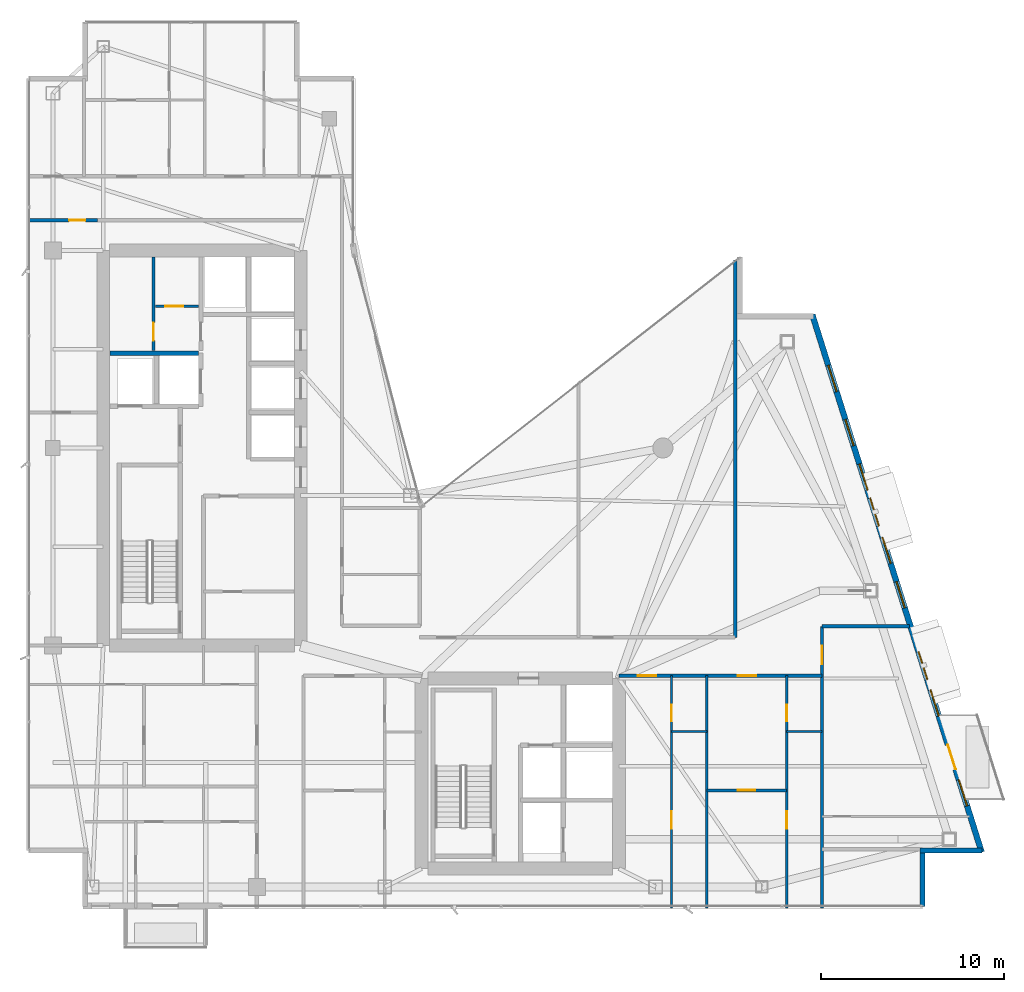
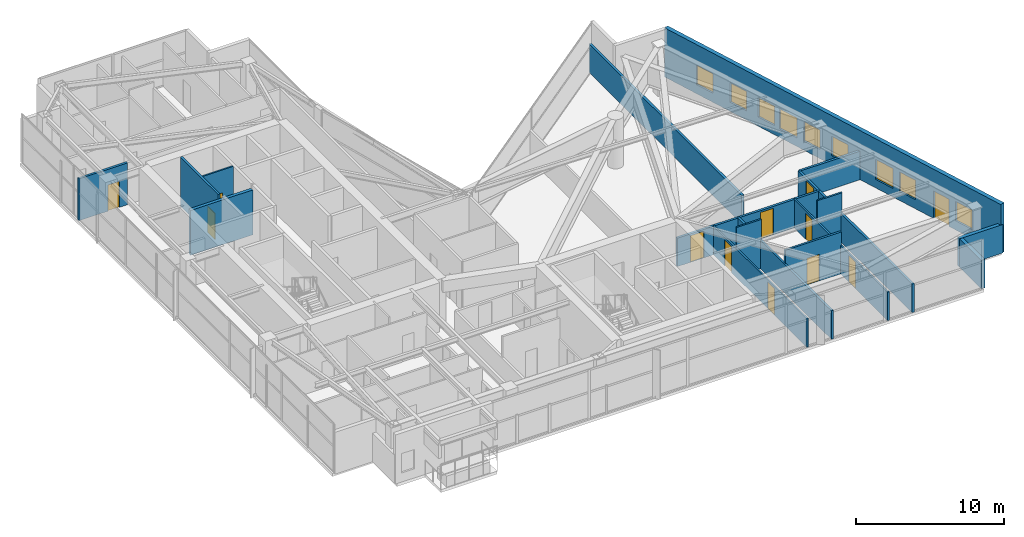
# One storey, part 25 of 29: 17 walls, 12 doors, 9 windows, 21 openings.
"""IFC4 building model written with IfcOpenShell, lengths in metres."""

from ifc_helpers import new_model, si_unit, direction, frame, frame_2d, origin, place, context, subcontext, project, spatial, rectangle, extrude, material, layer, layer_set, type_object, element, fill, save


model = new_model("IFC4")

# Units and contexts
model_context = context("Model", 3, precision=1e-05, world=origin(), true_north=direction((0.0, 1.0)))
body_context = subcontext(model_context, "Body", "Model", "MODEL_VIEW")
ifc_project = project(units=[si_unit("LENGTHUNIT", "METRE"), si_unit("AREAUNIT", "SQUARE_METRE"), si_unit("VOLUMEUNIT", "CUBIC_METRE"), si_unit("PLANEANGLEUNIT", "RADIAN"), si_unit("MASSUNIT", "GRAM", prefix="KILO")], contexts=[model_context])

# Site, building, storey
site_placement = place(None, origin())
site = spatial("IfcSite", under=ifc_project, at=site_placement, CompositionType="ELEMENT")
building_placement = place(site_placement, origin())
building = spatial("IfcBuilding", under=site, at=building_placement, Name="Calvorn Quay Hotel", CompositionType="ELEMENT")
storey_placement = place(building_placement, frame((0.0, 0.0, 214.800048828125)))
storey = spatial("IfcBuildingStorey", under=building, at=storey_placement, Name="L53", CompositionType="ELEMENT", Elevation=214.800048828125)

# Wall, opening, door
ifc_material_1 = material(Name="Acoustic Fireboard Steel-Stud Partition", Category="steel")
ifc_layer_1 = layer(ifc_material_1, 0.179931640625)
ifc_layer_set_1 = layer_set([ifc_layer_1], Name="WL-CORR-FIRE-180")
wall_type_1 = type_object("IfcWallType", Name="WL-CORR-FIRE-180", PredefinedType="PARTITIONING", material=ifc_layer_set_1)
wall_1_placement = place(storey_placement, frame((0.080078125, 40.050048828125, 0.0), z_axis=(0.0, 0.0, 1.0), x_axis=(1.0, 0.0, 0.0)))
wall_1 = element("IfcWall", 1, at=wall_1_placement, inside=storey, type_object=wall_type_1, Name="Partition Wall L53-WL-WBAY-N-DOOR", PredefinedType="PARTITIONING", context=body_context, shape_type="SweptSolid", body=[
    extrude(rectangle(XDim=3.7998046875, YDim=0.179931640625, at=frame_2d((1.89990234375, 0.0))), origin(), (0.0, 0.0, 1.0), 3.449951171875),
])
opening_1_placement = place(wall_1_placement, frame((2.25, 0.0, 0.0)))
opening_1 = element("IfcOpeningElement", 2, at=opening_1_placement, cuts=wall_1, Name="Opening D-L53-WBN", PredefinedType="OPENING", context=body_context, shape_type="SweptSolid", body=[
    extrude(rectangle(XDim=0.89990234375, YDim=2.14990234375, at=frame_2d((0.449951171875, 1.074951171875))), frame((0.0, 0.099853515625, 0.0), z_axis=(0.0, -1.0, 0.0), x_axis=(1.0, 0.0, 0.0)), (0.0, 0.0, 1.0), 0.199951171875),
])
ifc_material_2 = material(Name="Moisture-Sealed Timber En-Suite Door", Category="wood")
door_type_1 = type_object("IfcDoorType", Name="DR-ENSUITE-900", OperationType="NOTDEFINED", PredefinedType="DOOR", material=ifc_material_2)
door_1_placement = place(opening_1_placement, origin())
door_1 = element("IfcDoor", 3, at=door_1_placement, inside=storey, type_object=door_type_1, Name="West North Bay Door (L53)", OperationType="SINGLE_SWING_LEFT", OverallHeight=2.14990234375, OverallWidth=0.89990234375, PredefinedType="DOOR", context=body_context, shape_type="SweptSolid", body=[
    extrude(rectangle(XDim=0.89990234375, YDim=2.14990234375, at=frame_2d((0.449951171875, 1.074951171875))), frame((0.0, 0.02490234375, 0.0), z_axis=(0.0, -1.0, 0.0), x_axis=(1.0, 0.0, 0.0)), (0.0, 0.0, 1.0), 0.050048828125),
])
fill(opening_1, door_1)

# Wall, openings, doors
wall_2_placement = place(storey_placement, frame((32.39990234375, 15.14990234375, 0.0), z_axis=(0.0, 0.0, 1.0), x_axis=(1.0, 0.0, 0.0)))
wall_2 = element("IfcWall", 4, at=wall_2_placement, inside=storey, type_object=wall_type_1, Name="Partition Wall L53-WL-CORR-SE-S", PredefinedType="PARTITIONING", context=body_context, shape_type="SweptSolid", body=[
    extrude(rectangle(XDim=11.10009765625, YDim=0.179931640625, at=frame_2d((5.550048828125, 0.0))), origin(), (0.0, 0.0, 1.0), 2.349853515625),
])
opening_2_placement = place(wall_2_placement, frame((1.030029296875, 0.0, 0.0)))
opening_2 = element("IfcOpeningElement", 5, at=opening_2_placement, cuts=wall_2, Name="Opening D-L53-U06", PredefinedType="OPENING", context=body_context, shape_type="SweptSolid", body=[
    extrude(rectangle(XDim=1.02001953125, YDim=2.199951171875, at=frame_2d((0.510009765625, 1.10009765625))), frame((0.0, 0.099853515625, 0.0), z_axis=(0.0, -1.0, 0.0), x_axis=(1.0, 0.0, 0.0)), (0.0, 0.0, 1.0), 0.199951171875),
])
opening_3_placement = place(wall_2_placement, frame((6.47998046875, 0.0, 0.0)))
opening_3 = element("IfcOpeningElement", 6, at=opening_3_placement, cuts=wall_2, Name="Opening D-L53-U07", PredefinedType="OPENING", context=body_context, shape_type="SweptSolid", body=[
    extrude(rectangle(XDim=1.02001953125, YDim=2.199951171875, at=frame_2d((0.510009765625, 1.10009765625))), frame((0.0, 0.099853515625, 0.0), z_axis=(0.0, -1.0, 0.0), x_axis=(1.0, 0.0, 0.0)), (0.0, 0.0, 1.0), 0.199951171875),
])
ifc_material_3 = material(Name="Solid-Core Walnut Veneer Hotel Fire Door")
door_type_2 = type_object("IfcDoorType", Name="DR-GUEST-ENTRY-1020", OperationType="NOTDEFINED", PredefinedType="DOOR", material=ifc_material_3)
door_2_placement = place(opening_2_placement, origin())
door_2 = element("IfcDoor", 7, at=door_2_placement, inside=storey, type_object=door_type_2, Name="South-East Unit Door U06 (L53)", OperationType="SINGLE_SWING_LEFT", OverallHeight=2.199951171875, OverallWidth=1.02001953125, PredefinedType="DOOR", context=body_context, shape_type="SweptSolid", body=[
    extrude(rectangle(XDim=1.02001953125, YDim=2.199951171875, at=frame_2d((0.510009765625, 1.10009765625))), frame((0.0, 0.02490234375, 0.0), z_axis=(0.0, -1.0, 0.0), x_axis=(1.0, 0.0, 0.0)), (0.0, 0.0, 1.0), 0.050048828125),
])
fill(opening_2, door_2)
door_3_placement = place(opening_3_placement, origin())
door_3 = element("IfcDoor", 8, at=door_3_placement, inside=storey, type_object=door_type_2, Name="South-East Unit Door U07 (L53)", OperationType="SINGLE_SWING_RIGHT", OverallHeight=2.199951171875, OverallWidth=1.02001953125, PredefinedType="DOOR", context=body_context, shape_type="SweptSolid", body=[
    extrude(rectangle(XDim=1.02001953125, YDim=2.199951171875, at=frame_2d((0.510009765625, 1.10009765625))), frame((0.0, 0.02490234375, 0.0), z_axis=(0.0, -1.0, 0.0), x_axis=(1.0, 0.0, 0.0)), (0.0, 0.0, 1.0), 0.050048828125),
])
fill(opening_3, door_3)

# Walls
wall_3_placement = place(storey_placement, frame((38.75, 17.25, 0.0), z_axis=(0.0, 0.0, 1.0), x_axis=(0.0, 1.0, 0.0)))
element("IfcWall", 9, at=wall_3_placement, inside=storey, type_object=wall_type_1, Name="Partition Wall L53-WL-NE-END-E", PredefinedType="PARTITIONING", context=body_context, shape_type="SweptSolid", body=[
    extrude(rectangle(XDim=20.6298828125, YDim=0.179931640625, at=frame_2d((10.31494140625, 0.0))), origin(), (0.0, 0.0, 1.0), 2.349853515625),
])
wall_4_placement = place(storey_placement, frame((43.5, 17.85009765625, 0.0), z_axis=(0.0, 0.0, 1.0), x_axis=(1.0, 0.0, 0.0)))
element("IfcWall", 10, at=wall_4_placement, inside=storey, type_object=wall_type_1, Name="Partition Wall L53-WL-TIP-DIV", PredefinedType="PARTITIONING", context=body_context, shape_type="SweptSolid", body=[
    extrude(rectangle(XDim=4.780029296875, YDim=0.179931640625, at=frame_2d((2.39013671875, 0.0))), origin(), (0.0, 0.0, 1.0), 2.349853515625),
])

# Wall, opening, door
wall_5_placement = place(storey_placement, frame((43.5, 2.43994140625, 0.0), z_axis=(0.0, 0.0, 1.0), x_axis=(0.0, 1.0, 0.0)))
wall_5 = element("IfcWall", 11, at=wall_5_placement, inside=storey, type_object=wall_type_1, Name="Partition Wall L53-WL-CORR-TIP-E1", PredefinedType="PARTITIONING", context=body_context, shape_type="SweptSolid", body=[
    extrude(rectangle(XDim=15.41015625, YDim=0.179931640625, at=frame_2d((7.705078125, 0.0))), origin(), (0.0, 0.0, 1.0), 2.349853515625),
])
opening_4_placement = place(wall_5_placement, frame((13.330078125, 0.0, 0.0)))
opening_4 = element("IfcOpeningElement", 12, at=opening_4_placement, cuts=wall_5, Name="Opening D-L53-U08", PredefinedType="OPENING", context=body_context, shape_type="SweptSolid", body=[
    extrude(rectangle(XDim=1.02001953125, YDim=2.199951171875, at=frame_2d((0.510009765625, 1.10009765625))), frame((0.0, 0.099853515625, 0.0), z_axis=(0.0, -1.0, 0.0), x_axis=(1.0, 0.0, 0.0)), (0.0, 0.0, 1.0), 0.199951171875),
])
door_4_placement = place(opening_4_placement, origin())
door_4 = element("IfcDoor", 13, at=door_4_placement, inside=storey, type_object=door_type_2, Name="Terrace Suite Door U08 (L53)", OperationType="SINGLE_SWING_LEFT", OverallHeight=2.199951171875, OverallWidth=1.02001953125, PredefinedType="DOOR", context=body_context, shape_type="SweptSolid", body=[
    extrude(rectangle(XDim=1.02001953125, YDim=2.199951171875, at=frame_2d((0.510009765625, 1.10009765625))), frame((0.0, 0.02490234375, 0.0), z_axis=(0.0, -1.0, 0.0), x_axis=(1.0, 0.0, 0.0)), (0.0, 0.0, 1.0), 0.050048828125),
])
fill(opening_4, door_4)

ifc_material_4 = material(Name="Moisture-Resistant Tile-Backed Partition")
ifc_layer_2 = layer(ifc_material_4, 0.125)
ifc_layer_set_2 = layer_set([ifc_layer_2], Name="WL-ENSUITE-125")
wall_type_2 = type_object("IfcWallType", Name="WL-ENSUITE-125", PredefinedType="PARTITIONING", material=ifc_layer_set_2)
wall_6_placement = place(storey_placement, frame((7.050048828125, 35.35009765625, 0.0), z_axis=(0.0, 0.0, 1.0), x_axis=(1.0, 0.0, 0.0)))
wall_6 = element("IfcWall", 14, at=wall_6_placement, inside=storey, type_object=wall_type_2, Name="Partition Wall L53-WL-CWW-K-H", PredefinedType="PARTITIONING", context=body_context, shape_type="SweptSolid", body=[
    extrude(rectangle(XDim=2.369873046875, YDim=0.125, at=frame_2d((1.18505859375, 0.0))), origin(), (0.0, 0.0, 1.0), 4.050048828125),
])
opening_5_placement = place(wall_6_placement, frame((0.550048828125, 0.0, 0.0)))
opening_5 = element("IfcOpeningElement", 15, at=opening_5_placement, cuts=wall_6, Name="Opening D-L53-CK3", PredefinedType="OPENING", context=body_context, shape_type="SweptSolid", body=[
    extrude(rectangle(XDim=0.97998046875, YDim=2.14990234375, at=frame_2d((0.489990234375, 1.074951171875))), frame((0.0, 0.072509765625, 0.0), z_axis=(0.0, -1.0, 0.0), x_axis=(1.0, 0.0, 0.0)), (0.0, 0.0, 1.0), 0.14501953125),
])
ifc_material_5 = material(Name="Painted Steel Housekeeping/Riser Fire Door", Category="steel")
door_type_3 = type_object("IfcDoorType", Name="DR-SERVICE-980", OperationType="NOTDEFINED", PredefinedType="DOOR", material=ifc_material_5)
door_5_placement = place(opening_5_placement, origin())
door_5 = element("IfcDoor", 16, at=door_5_placement, inside=storey, type_object=door_type_3, Name="Telecom Closet Door (L53)", OperationType="SINGLE_SWING_RIGHT", OverallHeight=2.14990234375, OverallWidth=0.97998046875, PredefinedType="DOOR", context=body_context, shape_type="SweptSolid", body=[
    extrude(rectangle(XDim=0.97998046875, YDim=2.14990234375, at=frame_2d((0.489990234375, 1.074951171875))), frame((0.0, 0.02490234375, 0.0), z_axis=(0.0, -1.0, 0.0), x_axis=(1.0, 0.0, 0.0)), (0.0, 0.0, 1.0), 0.050048828125),
])
fill(opening_5, door_5)

# Wall
wall_7_placement = place(storey_placement, frame((35.27001953125, 12.10009765625, 0.0), z_axis=(0.0, 0.0, 1.0), x_axis=(1.0, 0.0, 0.0)))
element("IfcWall", 17, at=wall_7_placement, inside=storey, type_object=wall_type_2, Name="Partition Wall L53-WL-U06-BDV", PredefinedType="PARTITIONING", context=body_context, shape_type="SweptSolid", body=[
    extrude(rectangle(XDim=1.929931640625, YDim=0.125, at=frame_2d((0.96484375, 0.0))), origin(), (0.0, 0.0, 1.0), 4.050048828125),
])

# Wall, openings, doors
wall_8_placement = place(storey_placement, frame((35.27001953125, 2.43994140625, 0.0), z_axis=(0.0, 0.0, 1.0), x_axis=(0.0, 1.0, 0.0)))
wall_8 = element("IfcWall", 18, at=wall_8_placement, inside=storey, type_object=wall_type_2, Name="Partition Wall L53-WL-U06-BV", PredefinedType="PARTITIONING", context=body_context, shape_type="SweptSolid", body=[
    extrude(rectangle(XDim=12.7099609375, YDim=0.125, at=frame_2d((6.35498046875, 0.0))), origin(), (0.0, 0.0, 1.0), 2.349853515625),
])
opening_6_placement = place(wall_8_placement, frame((4.35009765625, 0.0, 0.0)))
opening_6 = element("IfcOpeningElement", 19, at=opening_6_placement, cuts=wall_8, Name="Opening D-L53-S06", PredefinedType="OPENING", context=body_context, shape_type="SweptSolid", body=[
    extrude(rectangle(XDim=0.9599609375, YDim=2.199951171875, at=frame_2d((0.47998046875, 1.10009765625))), frame((0.0, 0.072509765625, 0.0), z_axis=(0.0, -1.0, 0.0), x_axis=(1.0, 0.0, 0.0)), (0.0, 0.0, 1.0), 0.14501953125),
])
opening_7_placement = place(wall_8_placement, frame((10.2099609375, 0.0, 0.0)))
opening_7 = element("IfcOpeningElement", 20, at=opening_7_placement, cuts=wall_8, Name="Opening D-L53-E06", PredefinedType="OPENING", context=body_context, shape_type="SweptSolid", body=[
    extrude(rectangle(XDim=0.89990234375, YDim=2.14990234375, at=frame_2d((0.449951171875, 1.074951171875))), frame((0.0, 0.072509765625, 0.0), z_axis=(0.0, -1.0, 0.0), x_axis=(1.0, 0.0, 0.0)), (0.0, 0.0, 1.0), 0.14501953125),
])
door_6_placement = place(opening_7_placement, origin())
door_6 = element("IfcDoor", 21, at=door_6_placement, inside=storey, type_object=door_type_1, Name="En-Suite Door 06", OperationType="SINGLE_SWING_RIGHT", OverallHeight=2.14990234375, OverallWidth=0.89990234375, PredefinedType="DOOR", context=body_context, shape_type="SweptSolid", body=[
    extrude(rectangle(XDim=0.89990234375, YDim=2.14990234375, at=frame_2d((0.449951171875, 1.074951171875))), frame((0.0, 0.02490234375, 0.0), z_axis=(0.0, -1.0, 0.0), x_axis=(1.0, 0.0, 0.0)), (0.0, 0.0, 1.0), 0.050048828125),
])
fill(opening_7, door_6)
ifc_material_6 = material(Name="Solid Timber Internal Suite Door", Category="wood")
door_type_4 = type_object("IfcDoorType", Name="DR-SUITE-INT-960", OperationType="NOTDEFINED", PredefinedType="DOOR", material=ifc_material_6)
door_7_placement = place(opening_6_placement, origin())
door_7 = element("IfcDoor", 22, at=door_7_placement, inside=storey, type_object=door_type_4, Name="Walk-In Wardrobe Door 06", OperationType="SINGLE_SWING_LEFT", OverallHeight=2.199951171875, OverallWidth=0.9599609375, PredefinedType="DOOR", context=body_context, shape_type="SweptSolid", body=[
    extrude(rectangle(XDim=0.9599609375, YDim=2.199951171875, at=frame_2d((0.47998046875, 1.10009765625))), frame((0.0, 0.02490234375, 0.0), z_axis=(0.0, -1.0, 0.0), x_axis=(1.0, 0.0, 0.0)), (0.0, 0.0, 1.0), 0.050048828125),
])
fill(opening_6, door_7)

# Wall
wall_9_placement = place(storey_placement, frame((41.570068359375, 12.10009765625, 0.0), z_axis=(0.0, 0.0, 1.0), x_axis=(1.0, 0.0, 0.0)))
element("IfcWall", 23, at=wall_9_placement, inside=storey, type_object=wall_type_2, Name="Partition Wall L53-WL-U07-BDV", PredefinedType="PARTITIONING", context=body_context, shape_type="SweptSolid", body=[
    extrude(rectangle(XDim=1.929931640625, YDim=0.125, at=frame_2d((0.96484375, 0.0))), origin(), (0.0, 0.0, 1.0), 4.050048828125),
])

# Wall, openings, doors
wall_10_placement = place(storey_placement, frame((41.570068359375, 2.43994140625, 0.0), z_axis=(0.0, 0.0, 1.0), x_axis=(0.0, 1.0, 0.0)))
wall_10 = element("IfcWall", 24, at=wall_10_placement, inside=storey, type_object=wall_type_2, Name="Partition Wall L53-WL-U07-BV", PredefinedType="PARTITIONING", context=body_context, shape_type="SweptSolid", body=[
    extrude(rectangle(XDim=12.7099609375, YDim=0.125, at=frame_2d((6.35498046875, 0.0))), origin(), (0.0, 0.0, 1.0), 2.349853515625),
])
opening_8_placement = place(wall_10_placement, frame((4.35009765625, 0.0, 0.0)))
opening_8 = element("IfcOpeningElement", 25, at=opening_8_placement, cuts=wall_10, Name="Opening D-L53-S07", PredefinedType="OPENING", context=body_context, shape_type="SweptSolid", body=[
    extrude(rectangle(XDim=0.9599609375, YDim=2.199951171875, at=frame_2d((0.47998046875, 1.10009765625))), frame((0.0, 0.072509765625, 0.0), z_axis=(0.0, -1.0, 0.0), x_axis=(1.0, 0.0, 0.0)), (0.0, 0.0, 1.0), 0.14501953125),
])
opening_9_placement = place(wall_10_placement, frame((10.2099609375, 0.0, 0.0)))
opening_9 = element("IfcOpeningElement", 26, at=opening_9_placement, cuts=wall_10, Name="Opening D-L53-E07", PredefinedType="OPENING", context=body_context, shape_type="SweptSolid", body=[
    extrude(rectangle(XDim=0.89990234375, YDim=2.14990234375, at=frame_2d((0.449951171875, 1.074951171875))), frame((0.0, 0.072509765625, 0.0), z_axis=(0.0, -1.0, 0.0), x_axis=(1.0, 0.0, 0.0)), (0.0, 0.0, 1.0), 0.14501953125),
])
door_8_placement = place(opening_9_placement, origin())
door_8 = element("IfcDoor", 27, at=door_8_placement, inside=storey, type_object=door_type_1, Name="En-Suite Door 07", OperationType="SINGLE_SWING_RIGHT", OverallHeight=2.14990234375, OverallWidth=0.89990234375, PredefinedType="DOOR", context=body_context, shape_type="SweptSolid", body=[
    extrude(rectangle(XDim=0.89990234375, YDim=2.14990234375, at=frame_2d((0.449951171875, 1.074951171875))), frame((0.0, 0.02490234375, 0.0), z_axis=(0.0, -1.0, 0.0), x_axis=(1.0, 0.0, 0.0)), (0.0, 0.0, 1.0), 0.050048828125),
])
fill(opening_9, door_8)
door_9_placement = place(opening_8_placement, origin())
door_9 = element("IfcDoor", 28, at=door_9_placement, inside=storey, type_object=door_type_4, Name="Walk-In Wardrobe Door 07", OperationType="SINGLE_SWING_LEFT", OverallHeight=2.199951171875, OverallWidth=0.9599609375, PredefinedType="DOOR", context=body_context, shape_type="SweptSolid", body=[
    extrude(rectangle(XDim=0.9599609375, YDim=2.199951171875, at=frame_2d((0.47998046875, 1.10009765625))), frame((0.0, 0.02490234375, 0.0), z_axis=(0.0, -1.0, 0.0), x_axis=(1.0, 0.0, 0.0)), (0.0, 0.0, 1.0), 0.050048828125),
])
fill(opening_8, door_9)

# Walls
ifc_material_7 = material(Name="Concrete C40", Category="concrete")
ifc_layer_3 = layer(ifc_material_7, 0.320068359375)
ifc_layer_set_3 = layer_set([ifc_layer_3], Name="WL-EXT-SPANDREL-320")
wall_type_3 = type_object("IfcWallType", Name="WL-EXT-SPANDREL-320", PredefinedType="SOLIDWALL", material=ifc_layer_set_3)
wall_11_placement = place(storey_placement, frame((49.0, 2.52001953125, 0.0), z_axis=(0.0, 0.0, 1.0), x_axis=(0.0, 1.0, 0.0)))
element("IfcWall", 29, at=wall_11_placement, inside=storey, type_object=wall_type_3, Name="Notched Corner Spandrel L53-SE1", PredefinedType="SOLIDWALL", context=body_context, shape_type="SweptSolid", body=[
    extrude(rectangle(XDim=2.93994140625, YDim=0.280029296875, at=frame_2d((1.469970703125, 0.0))), origin(), (0.0, 0.0, 1.0), 2.349853515625),
])
wall_12_placement = place(storey_placement, frame((48.860107421875, 5.60009765625, 0.0), z_axis=(0.0, 0.0, 1.0), x_axis=(1.0, 0.0, 0.0)))
element("IfcWall", 30, at=wall_12_placement, inside=storey, type_object=wall_type_3, Name="Notched Corner Spandrel L53-SE2", PredefinedType="SOLIDWALL", context=body_context, shape_type="SweptSolid", body=[
    extrude(rectangle(XDim=3.3798828125, YDim=0.280029296875, at=frame_2d((1.68994140625, 0.0))), origin(), (0.0, 0.0, 1.0), 2.349853515625),
])

# Wall, openings, door, windows
wall_13_placement = place(storey_placement, frame((52.22998046875, 5.5048828125, 0.0), z_axis=(0.0, 0.0, 1.0), x_axis=(-0.300509063924, 0.953778958931, 0.0)))
wall_13 = element("IfcWall", 31, at=wall_13_placement, inside=storey, type_object=wall_type_3, Name="East Stepped Waterfront Exterior Wall (L53)", PredefinedType="SOLIDWALL", context=body_context, shape_type="SweptSolid", body=[
    extrude(rectangle(XDim=30.814453125, YDim=0.320068359375, at=frame_2d((15.4072265625, 0.0))), origin(), (0.0, 0.0, 1.0), 4.050048828125),
])
opening_10_placement = place(wall_13_placement, frame((4.7470703125, 0.0, 0.0)))
opening_10 = element("IfcOpeningElement", 32, at=opening_10_placement, cuts=wall_13, Name="Opening DB-L53-1", PredefinedType="OPENING", context=body_context, shape_type="SweptSolid", body=[
    extrude(rectangle(XDim=1.39990234375, YDim=2.25, at=frame_2d((0.699951171875, 1.125))), frame((0.0, 0.169921875, 0.0), z_axis=(0.0, -1.0, 0.0), x_axis=(1.0, 0.0, 0.0)), (0.0, 0.0, 1.0), 0.340087890625),
])
opening_11_placement = place(wall_13_placement, frame((9.888916015625, 0.0, 0.699951171875)))
opening_11 = element("IfcOpeningElement", 33, at=opening_11_placement, cuts=wall_13, Name="Opening WHD-L53-1", PredefinedType="OPENING", context=body_context, shape_type="SweptSolid", body=[
    extrude(rectangle(XDim=1.60009765625, YDim=1.64990234375, at=frame_2d((0.800048828125, 0.824951171875))), frame((0.0, 0.169921875, 0.0), z_axis=(0.0, -1.0, 0.0), x_axis=(1.0, 0.0, 0.0)), (0.0, 0.0, 1.0), 0.340087890625),
])
opening_12_placement = place(wall_13_placement, frame((18.696044921875, 0.0, 0.699951171875)))
opening_12 = element("IfcOpeningElement", 34, at=opening_12_placement, cuts=wall_13, Name="Opening WHD-L53-2", PredefinedType="OPENING", context=body_context, shape_type="SweptSolid", body=[
    extrude(rectangle(XDim=1.60009765625, YDim=1.64990234375, at=frame_2d((0.800048828125, 0.824951171875))), frame((0.0, 0.169921875, 0.0), z_axis=(0.0, -1.0, 0.0), x_axis=(1.0, 0.0, 0.0)), (0.0, 0.0, 1.0), 0.340087890625),
])
opening_13_placement = place(wall_13_placement, frame((2.64990234375, 0.0, 0.75)))
opening_13 = element("IfcOpeningElement", 35, at=opening_13_placement, cuts=wall_13, Name="Opening WG-L53-E1", PredefinedType="OPENING", context=body_context, shape_type="SweptSolid", body=[
    extrude(rectangle(XDim=1.5, YDim=1.60009765625, at=frame_2d((0.75, 0.800048828125))), frame((0.0, 0.169921875, 0.0), z_axis=(0.0, -1.0, 0.0), x_axis=(1.0, 0.0, 0.0)), (0.0, 0.0, 1.0), 0.340087890625),
])
opening_14_placement = place(wall_13_placement, frame((7.800048828125, 0.0, 0.75)))
opening_14 = element("IfcOpeningElement", 36, at=opening_14_placement, cuts=wall_13, Name="Opening WG-L53-E2", PredefinedType="OPENING", context=body_context, shape_type="SweptSolid", body=[
    extrude(rectangle(XDim=1.5, YDim=1.60009765625, at=frame_2d((0.75, 0.800048828125))), frame((0.0, 0.169921875, 0.0), z_axis=(0.0, -1.0, 0.0), x_axis=(1.0, 0.0, 0.0)), (0.0, 0.0, 1.0), 0.340087890625),
])
opening_15_placement = place(wall_13_placement, frame((14.0, 0.0, 0.75)))
opening_15 = element("IfcOpeningElement", 37, at=opening_15_placement, cuts=wall_13, Name="Opening WG-L53-E3", PredefinedType="OPENING", context=body_context, shape_type="SweptSolid", body=[
    extrude(rectangle(XDim=1.5, YDim=1.60009765625, at=frame_2d((0.75, 0.800048828125))), frame((0.0, 0.169921875, 0.0), z_axis=(0.0, -1.0, 0.0), x_axis=(1.0, 0.0, 0.0)), (0.0, 0.0, 1.0), 0.340087890625),
])
opening_16_placement = place(wall_13_placement, frame((16.550048828125, 0.0, 0.75)))
opening_16 = element("IfcOpeningElement", 38, at=opening_16_placement, cuts=wall_13, Name="Opening WG-L53-E4", PredefinedType="OPENING", context=body_context, shape_type="SweptSolid", body=[
    extrude(rectangle(XDim=1.5, YDim=1.60009765625, at=frame_2d((0.75, 0.800048828125))), frame((0.0, 0.169921875, 0.0), z_axis=(0.0, -1.0, 0.0), x_axis=(1.0, 0.0, 0.0)), (0.0, 0.0, 1.0), 0.340087890625),
])
opening_17_placement = place(wall_13_placement, frame((20.75, 0.0, 0.75)))
opening_17 = element("IfcOpeningElement", 39, at=opening_17_placement, cuts=wall_13, Name="Opening WG-L53-E5", PredefinedType="OPENING", context=body_context, shape_type="SweptSolid", body=[
    extrude(rectangle(XDim=1.5, YDim=1.60009765625, at=frame_2d((0.75, 0.800048828125))), frame((0.0, 0.169921875, 0.0), z_axis=(0.0, -1.0, 0.0), x_axis=(1.0, 0.0, 0.0)), (0.0, 0.0, 1.0), 0.340087890625),
])
opening_18_placement = place(wall_13_placement, frame((23.300048828125, 0.0, 0.75)))
opening_18 = element("IfcOpeningElement", 40, at=opening_18_placement, cuts=wall_13, Name="Opening WG-L53-E6", PredefinedType="OPENING", context=body_context, shape_type="SweptSolid", body=[
    extrude(rectangle(XDim=1.5, YDim=1.60009765625, at=frame_2d((0.75, 0.800048828125))), frame((0.0, 0.169921875, 0.0), z_axis=(0.0, -1.0, 0.0), x_axis=(1.0, 0.0, 0.0)), (0.0, 0.0, 1.0), 0.340087890625),
])
opening_19_placement = place(wall_13_placement, frame((26.39990234375, 0.0, 0.75)))
opening_19 = element("IfcOpeningElement", 41, at=opening_19_placement, cuts=wall_13, Name="Opening WG-L53-E7", PredefinedType="OPENING", context=body_context, shape_type="SweptSolid", body=[
    extrude(rectangle(XDim=1.5, YDim=1.60009765625, at=frame_2d((0.75, 0.800048828125))), frame((0.0, 0.169921875, 0.0), z_axis=(0.0, -1.0, 0.0), x_axis=(1.0, 0.0, 0.0)), (0.0, 0.0, 1.0), 0.340087890625),
])
ifc_material_8 = material(Name="Typhoon-Rated Low-E Aluminium Terrace Door", Category="aluminium")
door_type_5 = type_object("IfcDoorType", Name="DR-BALCONY-GLZ-1400", OperationType="NOTDEFINED", PredefinedType="DOOR", material=ifc_material_8)
door_10_placement = place(opening_10_placement, origin())
door_10 = element("IfcDoor", 42, at=door_10_placement, inside=storey, type_object=door_type_5, Name="Tree Balcony Terrace Door L53-BALC-E", OperationType="SINGLE_SWING_LEFT", OverallHeight=2.25, OverallWidth=1.39990234375, PredefinedType="DOOR", context=body_context, shape_type="SweptSolid", body=[
    extrude(rectangle(XDim=1.39990234375, YDim=2.25, at=frame_2d((0.699951171875, 1.125))), frame((0.0, 0.02490234375, 0.0), z_axis=(0.0, -1.0, 0.0), x_axis=(1.0, 0.0, 0.0)), (0.0, 0.0, 1.0), 0.050048828125),
])
fill(opening_10, door_10)
ifc_material_9 = material(Name="Champagne-Bronze Aluminium Low-E Window", Category="aluminium")
window_type_1 = type_object("IfcWindowType", Name="WIN-GUEST-SIDE-1600x2100", PartitioningType="SINGLE_PANEL", PredefinedType="WINDOW", material=ifc_material_9)
window_1_placement = place(opening_11_placement, origin())
window_1 = element("IfcWindow", 43, at=window_1_placement, inside=storey, type_object=window_type_1, Name="Bay Hood Window L53-HOOD-2", OverallHeight=1.64990234375, OverallWidth=1.60009765625, PartitioningType="SINGLE_PANEL", PredefinedType="WINDOW", context=body_context, shape_type="SweptSolid", body=[
    extrude(rectangle(XDim=1.60009765625, YDim=1.64990234375, at=frame_2d((0.800048828125, 0.824951171875))), frame((0.0, 0.030029296875, 0.0), z_axis=(0.0, -1.0, 0.0), x_axis=(1.0, 0.0, 0.0)), (0.0, 0.0, 1.0), 0.06005859375),
])
fill(opening_11, window_1)
window_2_placement = place(opening_12_placement, origin())
window_2 = element("IfcWindow", 44, at=window_2_placement, inside=storey, type_object=window_type_1, Name="Bay Hood Window L53-HOOD-3", OverallHeight=1.64990234375, OverallWidth=1.60009765625, PartitioningType="SINGLE_PANEL", PredefinedType="WINDOW", context=body_context, shape_type="SweptSolid", body=[
    extrude(rectangle(XDim=1.60009765625, YDim=1.64990234375, at=frame_2d((0.800048828125, 0.824951171875))), frame((0.0, 0.030029296875, 0.0), z_axis=(0.0, -1.0, 0.0), x_axis=(1.0, 0.0, 0.0)), (0.0, 0.0, 1.0), 0.06005859375),
])
fill(opening_12, window_2)
ifc_material_10 = material(Name="Self-Closing Class B Fire Window")
window_type_2 = type_object("IfcWindowType", Name="WIN-REFUGE-1500x1600", PartitioningType="SINGLE_PANEL", PredefinedType="WINDOW", material=ifc_material_10)
window_3_placement = place(opening_13_placement, origin())
window_3 = element("IfcWindow", 45, at=window_3_placement, inside=storey, type_object=window_type_2, Name="East Facade Window L53-E1", OverallHeight=1.60009765625, OverallWidth=1.5, PartitioningType="SINGLE_PANEL", PredefinedType="WINDOW", context=body_context, shape_type="SweptSolid", body=[
    extrude(rectangle(XDim=1.5, YDim=1.60009765625, at=frame_2d((0.75, 0.800048828125))), frame((0.0, 0.030029296875, 0.0), z_axis=(0.0, -1.0, 0.0), x_axis=(1.0, 0.0, 0.0)), (0.0, 0.0, 1.0), 0.06005859375),
])
fill(opening_13, window_3)
window_4_placement = place(opening_14_placement, origin())
window_4 = element("IfcWindow", 46, at=window_4_placement, inside=storey, type_object=window_type_2, Name="East Facade Window L53-E2", OverallHeight=1.60009765625, OverallWidth=1.5, PartitioningType="SINGLE_PANEL", PredefinedType="WINDOW", context=body_context, shape_type="SweptSolid", body=[
    extrude(rectangle(XDim=1.5, YDim=1.60009765625, at=frame_2d((0.75, 0.800048828125))), frame((0.0, 0.030029296875, 0.0), z_axis=(0.0, -1.0, 0.0), x_axis=(1.0, 0.0, 0.0)), (0.0, 0.0, 1.0), 0.06005859375),
])
fill(opening_14, window_4)
window_5_placement = place(opening_15_placement, origin())
window_5 = element("IfcWindow", 47, at=window_5_placement, inside=storey, type_object=window_type_2, Name="East Facade Window L53-E3", OverallHeight=1.60009765625, OverallWidth=1.5, PartitioningType="SINGLE_PANEL", PredefinedType="WINDOW", context=body_context, shape_type="SweptSolid", body=[
    extrude(rectangle(XDim=1.5, YDim=1.60009765625, at=frame_2d((0.75, 0.800048828125))), frame((0.0, 0.030029296875, 0.0), z_axis=(0.0, -1.0, 0.0), x_axis=(1.0, 0.0, 0.0)), (0.0, 0.0, 1.0), 0.06005859375),
])
fill(opening_15, window_5)
window_6_placement = place(opening_16_placement, origin())
window_6 = element("IfcWindow", 48, at=window_6_placement, inside=storey, type_object=window_type_2, Name="East Facade Window L53-E4", OverallHeight=1.60009765625, OverallWidth=1.5, PartitioningType="SINGLE_PANEL", PredefinedType="WINDOW", context=body_context, shape_type="SweptSolid", body=[
    extrude(rectangle(XDim=1.5, YDim=1.60009765625, at=frame_2d((0.75, 0.800048828125))), frame((0.0, 0.030029296875, 0.0), z_axis=(0.0, -1.0, 0.0), x_axis=(1.0, 0.0, 0.0)), (0.0, 0.0, 1.0), 0.06005859375),
])
fill(opening_16, window_6)
window_7_placement = place(opening_17_placement, origin())
window_7 = element("IfcWindow", 49, at=window_7_placement, inside=storey, type_object=window_type_2, Name="East Facade Window L53-E5", OverallHeight=1.60009765625, OverallWidth=1.5, PartitioningType="SINGLE_PANEL", PredefinedType="WINDOW", context=body_context, shape_type="SweptSolid", body=[
    extrude(rectangle(XDim=1.5, YDim=1.60009765625, at=frame_2d((0.75, 0.800048828125))), frame((0.0, 0.030029296875, 0.0), z_axis=(0.0, -1.0, 0.0), x_axis=(1.0, 0.0, 0.0)), (0.0, 0.0, 1.0), 0.06005859375),
])
fill(opening_17, window_7)
window_8_placement = place(opening_18_placement, origin())
window_8 = element("IfcWindow", 50, at=window_8_placement, inside=storey, type_object=window_type_2, Name="East Facade Window L53-E6", OverallHeight=1.60009765625, OverallWidth=1.5, PartitioningType="SINGLE_PANEL", PredefinedType="WINDOW", context=body_context, shape_type="SweptSolid", body=[
    extrude(rectangle(XDim=1.5, YDim=1.60009765625, at=frame_2d((0.75, 0.800048828125))), frame((0.0, 0.030029296875, 0.0), z_axis=(0.0, -1.0, 0.0), x_axis=(1.0, 0.0, 0.0)), (0.0, 0.0, 1.0), 0.06005859375),
])
fill(opening_18, window_8)
window_9_placement = place(opening_19_placement, origin())
window_9 = element("IfcWindow", 51, at=window_9_placement, inside=storey, type_object=window_type_2, Name="East Facade Window L53-E7", OverallHeight=1.60009765625, OverallWidth=1.5, PartitioningType="SINGLE_PANEL", PredefinedType="WINDOW", context=body_context, shape_type="SweptSolid", body=[
    extrude(rectangle(XDim=1.5, YDim=1.60009765625, at=frame_2d((0.75, 0.800048828125))), frame((0.0, 0.030029296875, 0.0), z_axis=(0.0, -1.0, 0.0), x_axis=(1.0, 0.0, 0.0)), (0.0, 0.0, 1.0), 0.06005859375),
])
fill(opening_19, window_9)

# Wall, opening, door
ifc_material_11 = material(Name="Double-Stud Acoustic Gypsum Partition")
ifc_layer_4 = layer(ifc_material_11, 0.159912109375)
ifc_layer_set_4 = layer_set([ifc_layer_4], Name="WL-INTERSUITE-160")
wall_type_4 = type_object("IfcWallType", Name="WL-INTERSUITE-160", PredefinedType="PARTITIONING", material=ifc_layer_set_4)
wall_14_placement = place(storey_placement, frame((6.949951171875, 32.919921875, 0.0), z_axis=(0.0, 0.0, 1.0), x_axis=(0.0, 1.0, 0.0)))
wall_14 = element("IfcWall", 52, at=wall_14_placement, inside=storey, type_object=wall_type_4, Name="Partition Wall L53-WL-CWW-K-V", PredefinedType="PARTITIONING", context=body_context, shape_type="SweptSolid", body=[
    extrude(rectangle(XDim=5.110107421875, YDim=0.159912109375, at=frame_2d((2.55517578125, 0.0))), origin(), (0.0, 0.0, 1.0), 4.050048828125),
])
opening_20_placement = place(wall_14_placement, frame((0.550048828125, 0.0, 0.0)))
opening_20 = element("IfcOpeningElement", 53, at=opening_20_placement, cuts=wall_14, Name="Opening D-L53-CK1", PredefinedType="OPENING", context=body_context, shape_type="SweptSolid", body=[
    extrude(rectangle(XDim=0.97998046875, YDim=2.14990234375, at=frame_2d((0.489990234375, 1.074951171875))), frame((0.0, 0.08984375, 0.0), z_axis=(0.0, -1.0, 0.0), x_axis=(1.0, 0.0, 0.0)), (0.0, 0.0, 1.0), 0.179931640625),
])
door_11_placement = place(opening_20_placement, origin())
door_11 = element("IfcDoor", 54, at=door_11_placement, inside=storey, type_object=door_type_3, Name="Pipe Riser Door (L53)", OperationType="SINGLE_SWING_LEFT", OverallHeight=2.14990234375, OverallWidth=0.97998046875, PredefinedType="DOOR", context=body_context, shape_type="SweptSolid", body=[
    extrude(rectangle(XDim=0.97998046875, YDim=2.14990234375, at=frame_2d((0.489990234375, 1.074951171875))), frame((0.0, 0.02490234375, 0.0), z_axis=(0.0, -1.0, 0.0), x_axis=(1.0, 0.0, 0.0)), (0.0, 0.0, 1.0), 0.050048828125),
])
fill(opening_20, door_11)

wall_15_placement = place(storey_placement, frame((37.199951171875, 8.8798828125, 0.0), z_axis=(0.0, 0.0, 1.0), x_axis=(1.0, 0.0, 0.0)))
wall_15 = element("IfcWall", 55, at=wall_15_placement, inside=storey, type_object=wall_type_4, Name="Partition Wall L53-WL-U07-MSP", PredefinedType="PARTITIONING", context=body_context, shape_type="SweptSolid", body=[
    extrude(rectangle(XDim=4.3701171875, YDim=0.159912109375, at=frame_2d((2.18505859375, 0.0))), origin(), (0.0, 0.0, 1.0), 3.449951171875),
])
opening_21_placement = place(wall_15_placement, frame((1.699951171875, 0.0, 0.0)))
opening_21 = element("IfcOpeningElement", 56, at=opening_21_placement, cuts=wall_15, Name="Opening D-L53-M07", PredefinedType="OPENING", context=body_context, shape_type="SweptSolid", body=[
    extrude(rectangle(XDim=0.9599609375, YDim=2.199951171875, at=frame_2d((0.47998046875, 1.10009765625))), frame((0.0, 0.08984375, 0.0), z_axis=(0.0, -1.0, 0.0), x_axis=(1.0, 0.0, 0.0)), (0.0, 0.0, 1.0), 0.179931640625),
])
door_12_placement = place(opening_21_placement, origin())
door_12 = element("IfcDoor", 57, at=door_12_placement, inside=storey, type_object=door_type_4, Name="Suite Bedroom Door 07", OperationType="SINGLE_SWING_LEFT", OverallHeight=2.199951171875, OverallWidth=0.9599609375, PredefinedType="DOOR", context=body_context, shape_type="SweptSolid", body=[
    extrude(rectangle(XDim=0.9599609375, YDim=2.199951171875, at=frame_2d((0.47998046875, 1.10009765625))), frame((0.0, 0.02490234375, 0.0), z_axis=(0.0, -1.0, 0.0), x_axis=(1.0, 0.0, 0.0)), (0.0, 0.0, 1.0), 0.050048828125),
])
fill(opening_21, door_12)

# Walls
wall_16_placement = place(storey_placement, frame((37.199951171875, 2.43994140625, 0.0), z_axis=(0.0, 0.0, 1.0), x_axis=(0.0, 1.0, 0.0)))
element("IfcWall", 58, at=wall_16_placement, inside=storey, type_object=wall_type_4, Name="Partition Wall L53-WL-SE-DIV-1", PredefinedType="PARTITIONING", context=body_context, shape_type="SweptSolid", body=[
    extrude(rectangle(XDim=12.7099609375, YDim=0.159912109375, at=frame_2d((6.35498046875, 0.0))), origin(), (0.0, 0.0, 1.0), 2.349853515625),
])
ifc_material_12 = material(Name="Concrete C40", Category="concrete")
ifc_layer_5 = layer(ifc_material_12, 0.239990234375)
ifc_layer_set_5 = layer_set([ifc_layer_5], Name="WL-SHAFT-240")
wall_type_5 = type_object("IfcWallType", Name="WL-SHAFT-240", PredefinedType="SOLIDWALL", material=ifc_layer_set_5)
wall_17_placement = place(storey_placement, frame((4.570068359375, 32.780029296875, 0.0), z_axis=(0.0, 0.0, 1.0), x_axis=(1.0, 0.0, 0.0)))
element("IfcWall", 59, at=wall_17_placement, inside=storey, type_object=wall_type_5, Name="Partition Wall L53-WL-CWW-SLW-N", PredefinedType="SOLIDWALL", context=body_context, shape_type="SweptSolid", body=[
    extrude(rectangle(XDim=4.849853515625, YDim=0.239990234375, at=frame_2d((2.4248046875, 0.0))), origin(), (0.0, 0.0, 1.0), 3.699951171875),
])

save(model, "model.ifc")
